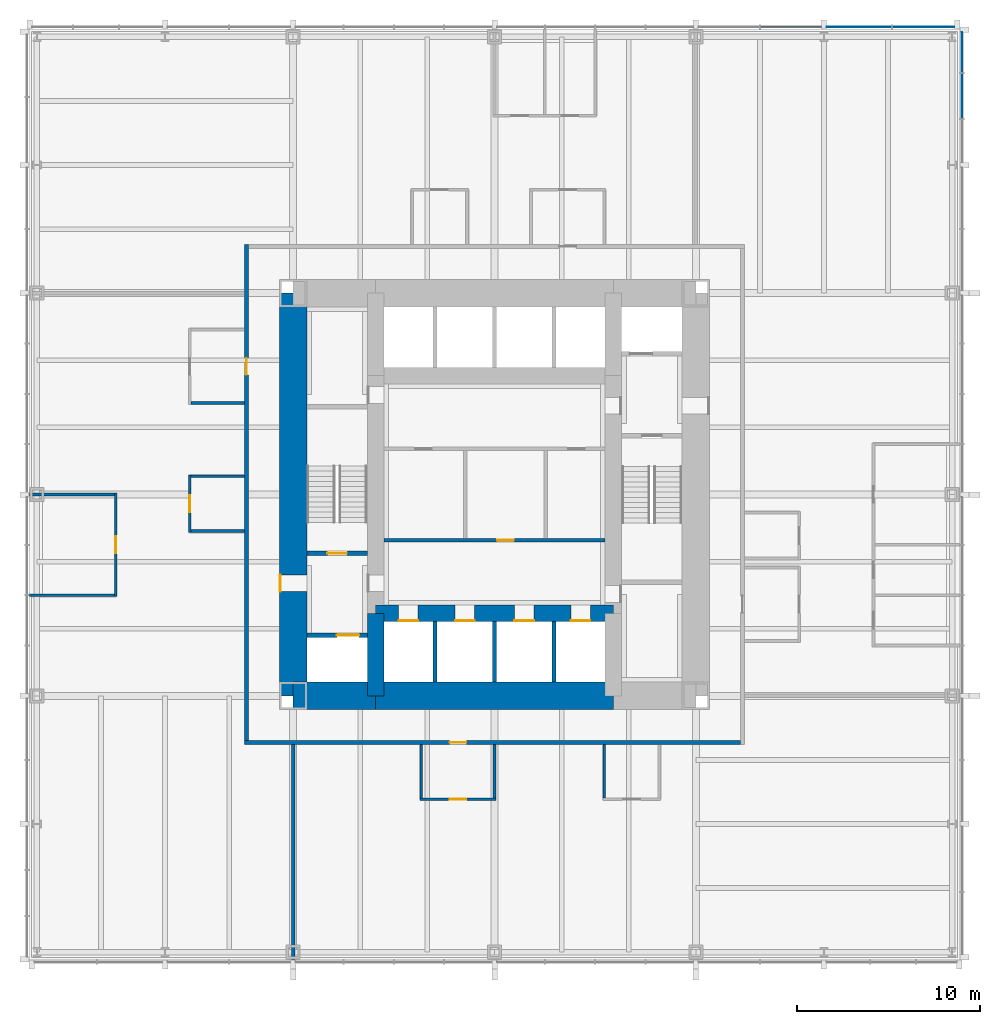
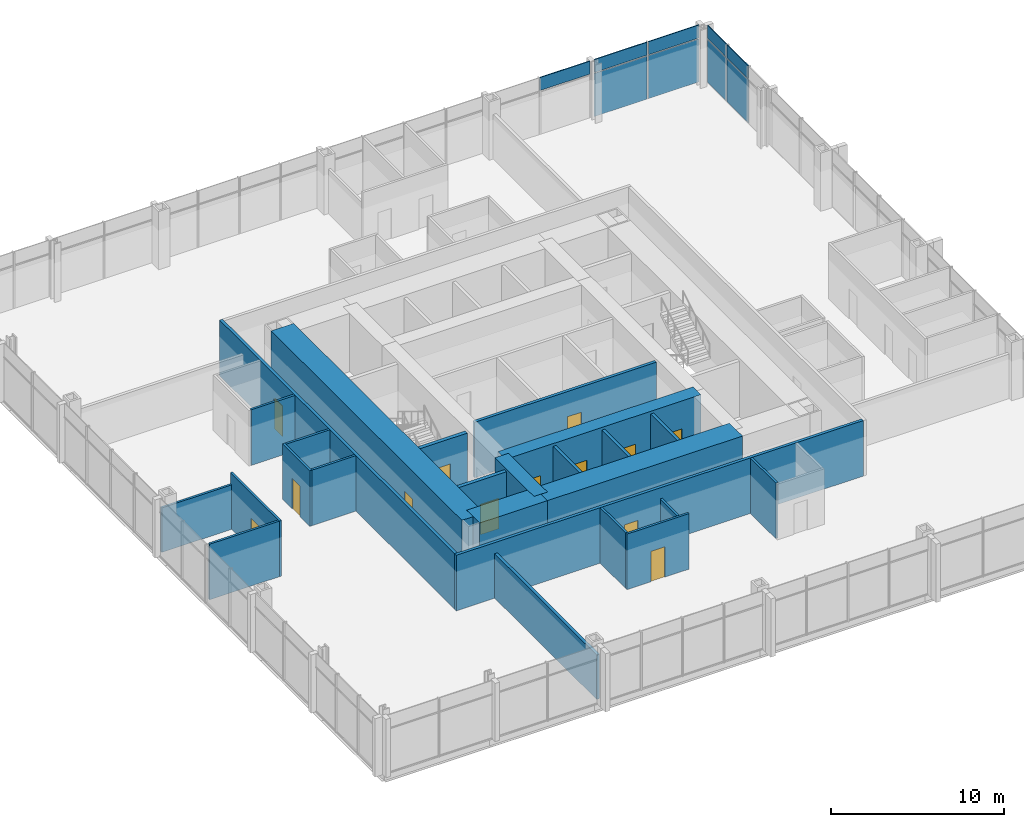
# One storey, part 9 of 12: 25 walls, 13 doors, 9 plates, 13 openings, 2 elements without a shape of their own.
"""IFC4 building model written with IfcOpenShell, lengths in metres."""

from ifc_helpers import new_model, si_unit, direction, frame, frame_2d, origin, origin_2d, place, context, subcontext, project, spatial, rectangle, extrude, material, layer, layer_set, type_object, element, fill, aggregate, save


model = new_model("IFC4")

# Units and contexts
model_context = context("Model", 3, precision=1e-05, world=origin(), true_north=direction((0.0, 1.0)))
body_context = subcontext(model_context, "Body", "Model", "MODEL_VIEW")
ifc_project = project(units=[si_unit("LENGTHUNIT", "METRE"), si_unit("AREAUNIT", "SQUARE_METRE"), si_unit("VOLUMEUNIT", "CUBIC_METRE"), si_unit("PLANEANGLEUNIT", "RADIAN"), si_unit("MASSUNIT", "GRAM", prefix="KILO")], contexts=[model_context])

# Site, building, storey
site_placement = place(None, origin())
site = spatial("IfcSite", under=ifc_project, at=site_placement, CompositionType="ELEMENT")
building_placement = place(site_placement, origin())
building = spatial("IfcBuilding", under=site, at=building_placement, Name="Trevanion Tower", CompositionType="ELEMENT")
storey_placement = place(building_placement, frame((0.0, 0.0, 28.300048828125)))
storey = spatial("IfcBuildingStorey", under=building, at=storey_placement, Name="L06", CompositionType="ELEMENT", Elevation=28.300048828125)

# Curtain wall, plates
ifc_material_1 = material(Name="Aluminium and glass", Category="aluminium")
curtain_wall_type = type_object("IfcCurtainWallType", Name="CW1 curtain wall", PredefinedType="USERDEFINED", material=ifc_material_1)
curtain_wall_1_placement = place(storey_placement, origin())
curtain_wall_1 = element("IfcCurtainWall", 1, at=curtain_wall_1_placement, inside=storey, type_object=curtain_wall_type, Name="CW1 L06 0", ObjectType="UNITISED CURTAIN WALL", PredefinedType="USERDEFINED")
ifc_material_2 = material(Name="Aluminium spandrel panel", Category="aluminium")
ifc_layer_1 = layer(ifc_material_2, 0.06005859375)
ifc_layer_set_1 = layer_set([ifc_layer_1], Name="CW1 spandrel panel")
plate_type_1 = type_object("IfcPlateType", Name="CW1 spandrel panel", PredefinedType="CURTAIN_PANEL", material=ifc_layer_set_1)
plate_1_placement = place(storey_placement, frame((25.550048828125, 21.77490234375, 2.99755859375), z_axis=(0.0, 0.0, 1.0), x_axis=(0.0, 1.0, 0.0)))
plate_1 = element("IfcPlate", 2, at=plate_1_placement, type_object=plate_type_1, Name="CW1 panel 16.2", PredefinedType="CURTAIN_PANEL", context=body_context, shape_type="SweptSolid", body=[
    extrude(rectangle(XDim=2.441650390625, YDim=0.06005859375, at=origin_2d()), origin(), (0.0, 0.0, 1.0), 0.91259765625),
])
plate_2_placement = place(storey_placement, frame((25.550048828125, 24.160400390625, 2.99755859375), z_axis=(0.0, 0.0, 1.0), x_axis=(0.0, 1.0, 0.0)))
plate_2 = element("IfcPlate", 3, at=plate_2_placement, type_object=plate_type_1, Name="CW1 panel 17.2", PredefinedType="CURTAIN_PANEL", context=body_context, shape_type="SweptSolid", body=[
    extrude(rectangle(XDim=2.17919921875, YDim=0.06005859375, at=origin_2d()), origin(), (0.0, 0.0, 1.0), 0.91259765625),
])

curtain_wall_2_placement = place(storey_placement, origin())
curtain_wall_2 = element("IfcCurtainWall", 4, at=curtain_wall_2_placement, inside=storey, type_object=curtain_wall_type, Name="CW1 L06 1", ObjectType="UNITISED CURTAIN WALL", PredefinedType="USERDEFINED")
plate_3_placement = place(storey_placement, frame((23.433837890625, 25.550048828125, 2.99755859375), z_axis=(0.0, 0.0, 1.0), x_axis=(-1.0, 0.0, 0.0)))
plate_3 = element("IfcPlate", 5, at=plate_3_placement, type_object=plate_type_1, Name="CW1 panel 1.2", PredefinedType="CURTAIN_PANEL", context=body_context, shape_type="SweptSolid", body=[
    extrude(rectangle(XDim=3.37255859375, YDim=0.06005859375, at=origin_2d()), origin(), (0.0, 0.0, 1.0), 0.91259765625),
])
plate_4_placement = place(storey_placement, frame((19.911376953125, 25.550048828125, 2.99755859375), z_axis=(0.0, 0.0, 1.0), x_axis=(-1.0, 0.0, 0.0)))
plate_4 = element("IfcPlate", 6, at=plate_4_placement, type_object=plate_type_1, Name="CW1 panel 2.2", PredefinedType="CURTAIN_PANEL", context=body_context, shape_type="SweptSolid", body=[
    extrude(rectangle(XDim=3.5224609375, YDim=0.06005859375, at=origin_2d()), origin(), (0.0, 0.0, 1.0), 0.91259765625),
])
plate_5_placement = place(storey_placement, frame((16.19384765625, 25.550048828125, 2.99755859375), z_axis=(0.0, 0.0, 1.0), x_axis=(-1.0, 0.0, 0.0)))
plate_5 = element("IfcPlate", 7, at=plate_5_placement, type_object=plate_type_1, Name="CW1 panel 3.2", PredefinedType="CURTAIN_PANEL", context=body_context, shape_type="SweptSolid", body=[
    extrude(rectangle(XDim=3.3125, YDim=0.06005859375, at=origin_2d()), origin(), (0.0, 0.0, 1.0), 0.91259765625),
])

# Plate
ifc_material_3 = material(Name="Insulating glass unit", Category="glass")
ifc_layer_2 = layer(ifc_material_3, 0.028076171875)
ifc_layer_set_2 = layer_set([ifc_layer_2], Name="CW1 vision panel")
plate_type_2 = type_object("IfcPlateType", Name="CW1 vision panel", PredefinedType="CURTAIN_PANEL", material=ifc_layer_set_2)
plate_6_placement = place(storey_placement, frame((25.550048828125, 21.77490234375, -0.115234375), z_axis=(0.0, 0.0, 1.0), x_axis=(0.0, 1.0, 0.0)))
plate_6 = element("IfcPlate", 8, at=plate_6_placement, type_object=plate_type_2, Name="CW1 panel 16.1", PredefinedType="CURTAIN_PANEL", context=body_context, shape_type="SweptSolid", body=[
    extrude(rectangle(XDim=2.441650390625, YDim=0.028076171875, at=origin_2d()), origin(), (0.0, 0.0, 1.0), 3.03759765625),
])

plate_7_placement = place(storey_placement, frame((25.550048828125, 24.160400390625, -0.115234375), z_axis=(0.0, 0.0, 1.0), x_axis=(0.0, 1.0, 0.0)))
plate_7 = element("IfcPlate", 9, at=plate_7_placement, type_object=plate_type_2, Name="CW1 panel 17.1", PredefinedType="CURTAIN_PANEL", context=body_context, shape_type="SweptSolid", body=[
    extrude(rectangle(XDim=2.17919921875, YDim=0.028076171875, at=origin_2d()), origin(), (0.0, 0.0, 1.0), 3.03759765625),
])

aggregate(curtain_wall_1, [plate_6, plate_1, plate_7, plate_2])

plate_8_placement = place(storey_placement, frame((23.433837890625, 25.550048828125, -0.115234375), z_axis=(0.0, 0.0, 1.0), x_axis=(-1.0, 0.0, 0.0)))
plate_8 = element("IfcPlate", 10, at=plate_8_placement, type_object=plate_type_2, Name="CW1 panel 1.1", PredefinedType="CURTAIN_PANEL", context=body_context, shape_type="SweptSolid", body=[
    extrude(rectangle(XDim=3.37255859375, YDim=0.028076171875, at=origin_2d()), origin(), (0.0, 0.0, 1.0), 3.03759765625),
])

plate_9_placement = place(storey_placement, frame((19.911376953125, 25.550048828125, -0.115234375), z_axis=(0.0, 0.0, 1.0), x_axis=(-1.0, 0.0, 0.0)))
plate_9 = element("IfcPlate", 11, at=plate_9_placement, type_object=plate_type_2, Name="CW1 panel 2.1", PredefinedType="CURTAIN_PANEL", context=body_context, shape_type="SweptSolid", body=[
    extrude(rectangle(XDim=3.5224609375, YDim=0.028076171875, at=origin_2d()), origin(), (0.0, 0.0, 1.0), 3.03759765625),
])

aggregate(curtain_wall_2, [plate_8, plate_3, plate_9, plate_4, plate_5])

# Wall, opening, door
ifc_material_4 = material(Name="Concrete 10,000 psi", Category="concrete")
ifc_layer_3 = layer(ifc_material_4, 1.5)
ifc_layer_set_3 = layer_set([ifc_layer_3], Name="CW1 core wall 1500")
wall_type_1 = type_object("IfcWallType", Name="CW1 core wall 1500", PredefinedType="SHEAR", material=ifc_layer_set_3)
wall_1_placement = place(storey_placement, frame((-11.0, 11.0, 0.0), z_axis=(0.0, 0.0, 1.0), x_axis=(0.0, -1.0, 0.0)))
wall_1 = element("IfcWall", 12, at=wall_1_placement, inside=storey, type_object=wall_type_1, Name="CW1 CW L06", PredefinedType="SHEAR", context=body_context, shape_type="SweptSolid", body=[
    extrude(rectangle(XDim=22.0, YDim=1.5, at=frame_2d((11.0, 0.0))), origin(), (0.0, 0.0, 1.0), 4.099853515625),
])
opening_1_placement = place(wall_1_placement, frame((15.392578125, 0.0, 0.0)))
opening_1 = element("IfcOpeningElement", 13, at=opening_1_placement, cuts=wall_1, Name="Opening 06-002", PredefinedType="OPENING", context=body_context, shape_type="SweptSolid", body=[
    extrude(rectangle(XDim=0.9150390625, YDim=2.134033203125, at=frame_2d((0.45751953125, 1.06689453125))), frame((0.0, 0.760009765625, 0.0), z_axis=(0.0, -1.0, 0.0), x_axis=(1.0, 0.0, 0.0)), (0.0, 0.0, 1.0), 1.52001953125),
])
ifc_material_5 = material(Name="Hollow metal, fire rated", Category="steel")
door_type_1 = type_object("IfcDoorType", Name="D3 fire lift lobby door", OperationType="SINGLE_SWING_RIGHT", PredefinedType="DOOR", material=ifc_material_5)
door_1_placement = place(opening_1_placement, origin())
door_1 = element("IfcDoor", 14, at=door_1_placement, inside=storey, type_object=door_type_1, Name="Door 06-002", OperationType="SINGLE_SWING_RIGHT", OverallHeight=2.134033203125, OverallWidth=0.9150390625, PredefinedType="DOOR", context=body_context, shape_type="SweptSolid", body=[
    extrude(rectangle(XDim=0.9150390625, YDim=2.134033203125, at=frame_2d((0.45751953125, 1.06689453125))), frame((0.0, -0.6748046875, 0.0), z_axis=(0.0, -1.0, 0.0), x_axis=(1.0, 0.0, 0.0)), (0.0, 0.0, 1.0), 0.050048828125),
])
fill(opening_1, door_1)

# Walls
wall_2_placement = place(storey_placement, frame((-11.0, -11.0, 0.0), z_axis=(0.0, 0.0, 1.0), x_axis=(1.0, 0.0, 0.0)))
element("IfcWall", 15, at=wall_2_placement, inside=storey, type_object=wall_type_1, Name="CW1 CS1 L06", PredefinedType="SHEAR", context=body_context, shape_type="SweptSolid", body=[
    extrude(rectangle(XDim=4.5, YDim=1.5, at=frame_2d((2.25, 0.0))), origin(), (0.0, 0.0, 1.0), 4.099853515625),
])
wall_3_placement = place(storey_placement, frame((-6.5, -11.0, 0.0), z_axis=(0.0, 0.0, 1.0), x_axis=(1.0, 0.0, 0.0)))
element("IfcWall", 16, at=wall_3_placement, inside=storey, type_object=wall_type_1, Name="CW1 CS2 L06", PredefinedType="SHEAR", context=body_context, shape_type="SweptSolid", body=[
    extrude(rectangle(XDim=13.0, YDim=1.5, at=frame_2d((6.5, 0.0))), origin(), (0.0, 0.0, 1.0), 4.099853515625),
])
ifc_material_6 = material(Name="Concrete 10,000 psi", Category="concrete")
ifc_layer_4 = layer(ifc_material_6, 0.89990234375)
ifc_layer_set_4 = layer_set([ifc_layer_4], Name="CW2 core wall 900")
wall_type_2 = type_object("IfcWallType", Name="CW2 core wall 900", PredefinedType="SHEAR", material=ifc_layer_set_4)
wall_4_placement = place(storey_placement, frame((-6.5, -6.5, 0.0), z_axis=(0.0, 0.0, 1.0), x_axis=(0.0, -1.0, 0.0)))
element("IfcWall", 17, at=wall_4_placement, inside=storey, type_object=wall_type_2, Name="CW2 RW3 L06", PredefinedType="SHEAR", context=body_context, shape_type="SweptSolid", body=[
    extrude(rectangle(XDim=4.5, YDim=0.89990234375, at=frame_2d((2.25, 0.0))), origin(), (0.0, 0.0, 1.0), 4.099853515625),
])

# Wall, openings, doors
wall_5_placement = place(storey_placement, frame((-6.5, -6.5, 0.0), z_axis=(0.0, 0.0, 1.0), x_axis=(1.0, 0.0, 0.0)))
wall_5 = element("IfcWall", 18, at=wall_5_placement, inside=storey, type_object=wall_type_2, Name="CW2 RS L06", PredefinedType="SHEAR", context=body_context, shape_type="SweptSolid", body=[
    extrude(rectangle(XDim=13.0, YDim=0.89990234375, at=frame_2d((6.5, 0.0))), origin(), (0.0, 0.0, 1.0), 4.099853515625),
])
opening_2_placement = place(wall_5_placement, frame((1.2666015625, 0.0, 0.0)))
opening_2 = element("IfcOpeningElement", 19, at=opening_2_placement, cuts=wall_5, Name="Opening 06-011", PredefinedType="OPENING", context=body_context, shape_type="SweptSolid", body=[
    extrude(rectangle(XDim=1.06689453125, YDim=2.134033203125, at=frame_2d((0.533447265625, 1.06689453125))), frame((0.0, 0.4599609375, 0.0), z_axis=(0.0, -1.0, 0.0), x_axis=(1.0, 0.0, 0.0)), (0.0, 0.0, 1.0), 0.919921875),
])
opening_3_placement = place(wall_5_placement, frame((4.341552734375, 0.0, 0.0)))
opening_3 = element("IfcOpeningElement", 20, at=opening_3_placement, cuts=wall_5, Name="Opening 06-012", PredefinedType="OPENING", context=body_context, shape_type="SweptSolid", body=[
    extrude(rectangle(XDim=1.06689453125, YDim=2.134033203125, at=frame_2d((0.533447265625, 1.06689453125))), frame((0.0, 0.4599609375, 0.0), z_axis=(0.0, -1.0, 0.0), x_axis=(1.0, 0.0, 0.0)), (0.0, 0.0, 1.0), 0.919921875),
])
opening_4_placement = place(wall_5_placement, frame((7.591552734375, 0.0, 0.0)))
opening_4 = element("IfcOpeningElement", 21, at=opening_4_placement, cuts=wall_5, Name="Opening 06-013", PredefinedType="OPENING", context=body_context, shape_type="SweptSolid", body=[
    extrude(rectangle(XDim=1.06689453125, YDim=2.134033203125, at=frame_2d((0.533447265625, 1.06689453125))), frame((0.0, 0.4599609375, 0.0), z_axis=(0.0, -1.0, 0.0), x_axis=(1.0, 0.0, 0.0)), (0.0, 0.0, 1.0), 0.919921875),
])
opening_5_placement = place(wall_5_placement, frame((10.66650390625, 0.0, 0.0)))
opening_5 = element("IfcOpeningElement", 22, at=opening_5_placement, cuts=wall_5, Name="Opening 06-014", PredefinedType="OPENING", context=body_context, shape_type="SweptSolid", body=[
    extrude(rectangle(XDim=1.06689453125, YDim=2.134033203125, at=frame_2d((0.533447265625, 1.06689453125))), frame((0.0, 0.4599609375, 0.0), z_axis=(0.0, -1.0, 0.0), x_axis=(1.0, 0.0, 0.0)), (0.0, 0.0, 1.0), 0.919921875),
])
ifc_material_7 = material(Name="Stainless steel, fire rated", Category="steel")
door_type_2 = type_object("IfcDoorType", Name="LD1 lift landing door", OperationType="SLIDING_TO_LEFT", PredefinedType="DOOR", material=ifc_material_7)
door_2_placement = place(opening_2_placement, origin())
door_2 = element("IfcDoor", 23, at=door_2_placement, inside=storey, type_object=door_type_2, Name="Door 06-011", OperationType="SLIDING_TO_LEFT", OverallHeight=2.134033203125, OverallWidth=1.06689453125, PredefinedType="DOOR", context=body_context, shape_type="SweptSolid", body=[
    extrude(rectangle(XDim=1.06689453125, YDim=2.134033203125, at=frame_2d((0.533447265625, 1.06689453125))), frame((0.0, -0.375, 0.0), z_axis=(0.0, -1.0, 0.0), x_axis=(1.0, 0.0, 0.0)), (0.0, 0.0, 1.0), 0.050048828125),
])
fill(opening_2, door_2)
door_3_placement = place(opening_3_placement, origin())
door_3 = element("IfcDoor", 24, at=door_3_placement, inside=storey, type_object=door_type_2, Name="Door 06-012", OperationType="SLIDING_TO_LEFT", OverallHeight=2.134033203125, OverallWidth=1.06689453125, PredefinedType="DOOR", context=body_context, shape_type="SweptSolid", body=[
    extrude(rectangle(XDim=1.06689453125, YDim=2.134033203125, at=frame_2d((0.533447265625, 1.06689453125))), frame((0.0, -0.375, 0.0), z_axis=(0.0, -1.0, 0.0), x_axis=(1.0, 0.0, 0.0)), (0.0, 0.0, 1.0), 0.050048828125),
])
fill(opening_3, door_3)
door_4_placement = place(opening_4_placement, origin())
door_4 = element("IfcDoor", 25, at=door_4_placement, inside=storey, type_object=door_type_2, Name="Door 06-013", OperationType="SLIDING_TO_LEFT", OverallHeight=2.134033203125, OverallWidth=1.06689453125, PredefinedType="DOOR", context=body_context, shape_type="SweptSolid", body=[
    extrude(rectangle(XDim=1.06689453125, YDim=2.134033203125, at=frame_2d((0.533447265625, 1.06689453125))), frame((0.0, -0.375, 0.0), z_axis=(0.0, -1.0, 0.0), x_axis=(1.0, 0.0, 0.0)), (0.0, 0.0, 1.0), 0.050048828125),
])
fill(opening_4, door_4)
door_5_placement = place(opening_5_placement, origin())
door_5 = element("IfcDoor", 26, at=door_5_placement, inside=storey, type_object=door_type_2, Name="Door 06-014", OperationType="SLIDING_TO_LEFT", OverallHeight=2.134033203125, OverallWidth=1.06689453125, PredefinedType="DOOR", context=body_context, shape_type="SweptSolid", body=[
    extrude(rectangle(XDim=1.06689453125, YDim=2.134033203125, at=frame_2d((0.533447265625, 1.06689453125))), frame((0.0, -0.375, 0.0), z_axis=(0.0, -1.0, 0.0), x_axis=(1.0, 0.0, 0.0)), (0.0, 0.0, 1.0), 0.050048828125),
])
fill(opening_5, door_5)

# Wall, opening, door
ifc_material_8 = material(Name="Gypsum board on steel studs", Category="steel")
ifc_layer_5 = layer(ifc_material_8, 0.14990234375)
ifc_layer_set_5 = layer_set([ifc_layer_5], Name="PT1 partition 150")
wall_type_3 = type_object("IfcWallType", Name="PT1 partition 150", PredefinedType="PARTITIONING", material=ifc_layer_set_5)
wall_6_placement = place(storey_placement, frame((-20.699951171875, 0.074951171875, 0.0), z_axis=(0.0, 0.0, 1.0), x_axis=(0.0, -1.0, 0.0)))
wall_6 = element("IfcWall", 27, at=wall_6_placement, inside=storey, type_object=wall_type_3, Name="PT1 L06 FC2F", PredefinedType="PARTITIONING", context=body_context, shape_type="SweptSolid", body=[
    extrude(rectangle(XDim=5.64990234375, YDim=0.14990234375, at=frame_2d((2.824951171875, 0.0))), origin(), (0.0, 0.0, 1.0), 3.909912109375),
])
opening_6_placement = place(wall_6_placement, frame((2.367431640625, 0.0, 0.0)))
opening_6 = element("IfcOpeningElement", 28, at=opening_6_placement, cuts=wall_6, Name="Opening 06-023", PredefinedType="OPENING", context=body_context, shape_type="SweptSolid", body=[
    extrude(rectangle(XDim=0.9150390625, YDim=2.134033203125, at=frame_2d((0.45751953125, 1.06689453125))), frame((0.0, 0.0849609375, 0.0), z_axis=(0.0, -1.0, 0.0), x_axis=(1.0, 0.0, 0.0)), (0.0, 0.0, 1.0), 0.169921875),
])
ifc_material_9 = material(Name="Timber veneer, solid core", Category="wood")
door_type_3 = type_object("IfcDoorType", Name="D1 office and meeting room door", OperationType="SINGLE_SWING_LEFT", PredefinedType="DOOR", material=ifc_material_9)
door_6_placement = place(opening_6_placement, origin())
door_6 = element("IfcDoor", 29, at=door_6_placement, inside=storey, type_object=door_type_3, Name="Door 06-023", OperationType="SINGLE_SWING_LEFT", OverallHeight=2.134033203125, OverallWidth=0.9150390625, PredefinedType="DOOR", context=body_context, shape_type="SweptSolid", body=[
    extrude(rectangle(XDim=0.9150390625, YDim=2.134033203125, at=frame_2d((0.45751953125, 1.06689453125))), frame((0.0, 0.02490234375, 0.0), z_axis=(0.0, -1.0, 0.0), x_axis=(1.0, 0.0, 0.0)), (0.0, 0.0, 1.0), 0.050048828125),
])
fill(opening_6, door_6)

# Walls
wall_7_placement = place(storey_placement, frame((-20.77490234375, 0.0, 0.0), z_axis=(0.0, 0.0, 1.0), x_axis=(-1.0, 0.0, 0.0)))
element("IfcWall", 30, at=wall_7_placement, inside=storey, type_object=wall_type_3, Name="PT1 L06 FC2S0", PredefinedType="PARTITIONING", context=body_context, shape_type="SweptSolid", body=[
    extrude(rectangle(XDim=4.64013671875, YDim=0.14990234375, at=frame_2d((2.320068359375, 0.0))), origin(), (0.0, 0.0, 1.0), 3.130126953125),
])
wall_8_placement = place(storey_placement, frame((-20.77490234375, -5.5, 0.0), z_axis=(0.0, 0.0, 1.0), x_axis=(-1.0, 0.0, 0.0)))
element("IfcWall", 31, at=wall_8_placement, inside=storey, type_object=wall_type_3, Name="PT1 L06 FC2S2", PredefinedType="PARTITIONING", context=body_context, shape_type="SweptSolid", body=[
    extrude(rectangle(XDim=4.64013671875, YDim=0.14990234375, at=frame_2d((2.320068359375, 0.0))), origin(), (0.0, 0.0, 1.0), 3.909912109375),
])
wall_9_placement = place(storey_placement, frame((-16.574951171875, 5.0, 0.0), z_axis=(0.0, 0.0, 1.0), x_axis=(1.0, 0.0, 0.0)))
element("IfcWall", 32, at=wall_9_placement, inside=storey, type_object=wall_type_3, Name="PT1 L06 IN20S1", PredefinedType="PARTITIONING", context=body_context, shape_type="SweptSolid", body=[
    extrude(rectangle(XDim=2.925048828125, YDim=0.14990234375, at=frame_2d((1.46240234375, 0.0))), origin(), (0.0, 0.0, 1.0), 3.909912109375),
])

# Wall, opening, door
wall_10_placement = place(storey_placement, frame((-16.64990234375, 1.074951171875, 0.0), z_axis=(0.0, 0.0, 1.0), x_axis=(0.0, -1.0, 0.0)))
wall_10 = element("IfcWall", 33, at=wall_10_placement, inside=storey, type_object=wall_type_3, Name="PT1 L06 IN21F", PredefinedType="PARTITIONING", context=body_context, shape_type="SweptSolid", body=[
    extrude(rectangle(XDim=3.14990234375, YDim=0.14990234375, at=frame_2d((1.574951171875, 0.0))), origin(), (0.0, 0.0, 1.0), 3.909912109375),
])
opening_7_placement = place(wall_10_placement, frame((1.117431640625, 0.0, 0.0)))
opening_7 = element("IfcOpeningElement", 34, at=opening_7_placement, cuts=wall_10, Name="Opening 06-032", PredefinedType="OPENING", context=body_context, shape_type="SweptSolid", body=[
    extrude(rectangle(XDim=0.9150390625, YDim=2.134033203125, at=frame_2d((0.45751953125, 1.06689453125))), frame((0.0, 0.0849609375, 0.0), z_axis=(0.0, -1.0, 0.0), x_axis=(1.0, 0.0, 0.0)), (0.0, 0.0, 1.0), 0.169921875),
])
door_7_placement = place(opening_7_placement, origin())
door_7 = element("IfcDoor", 35, at=door_7_placement, inside=storey, type_object=door_type_3, Name="Door 06-032", OperationType="SINGLE_SWING_LEFT", OverallHeight=2.134033203125, OverallWidth=0.9150390625, PredefinedType="DOOR", context=body_context, shape_type="SweptSolid", body=[
    extrude(rectangle(XDim=0.9150390625, YDim=2.134033203125, at=frame_2d((0.45751953125, 1.06689453125))), frame((0.0, 0.02490234375, 0.0), z_axis=(0.0, -1.0, 0.0), x_axis=(1.0, 0.0, 0.0)), (0.0, 0.0, 1.0), 0.050048828125),
])
fill(opening_7, door_7)

# Walls
for number, where, z_axis, x_axis, name in (
    (36, (-16.574951171875, 1.0, 0.0), (0.0, 0.0, 1.0), (1.0, 0.0, 0.0), "PT1 L06 IN21S0"),
    (37, (-16.574951171875, -2.0, 0.0), (0.0, 0.0, 1.0), (1.0, 0.0, 0.0), "PT1 L06 IN21S1"),
):
    element("IfcWall", number, at=place(storey_placement, frame(where, z_axis=z_axis, x_axis=x_axis)), inside=storey, type_object=wall_type_3, Name=name, PredefinedType="PARTITIONING", context=body_context, shape_type="SweptSolid", body=[
        extrude(rectangle(XDim=2.925048828125, YDim=0.14990234375, at=frame_2d((1.46240234375, 0.0))), origin(), (0.0, 0.0, 1.0), 3.909912109375),
    ])

# Wall, opening, door
wall_11_placement = place(storey_placement, frame((-4.074951171875, -16.64990234375, 0.0), z_axis=(0.0, 0.0, 1.0), x_axis=(1.0, 0.0, 0.0)))
wall_11 = element("IfcWall", 38, at=wall_11_placement, inside=storey, type_object=wall_type_3, Name="PT1 L06 IN30F", PredefinedType="PARTITIONING", context=body_context, shape_type="SweptSolid", body=[
    extrude(rectangle(XDim=4.14990234375, YDim=0.14990234375, at=frame_2d((2.074951171875, 0.0))), origin(), (0.0, 0.0, 1.0), 3.909912109375),
])
opening_8_placement = place(wall_11_placement, frame((1.617431640625, 0.0, 0.0)))
opening_8 = element("IfcOpeningElement", 39, at=opening_8_placement, cuts=wall_11, Name="Opening 06-033", PredefinedType="OPENING", context=body_context, shape_type="SweptSolid", body=[
    extrude(rectangle(XDim=0.9150390625, YDim=2.134033203125, at=frame_2d((0.45751953125, 1.06689453125))), frame((0.0, 0.0849609375, 0.0), z_axis=(0.0, -1.0, 0.0), x_axis=(1.0, 0.0, 0.0)), (0.0, 0.0, 1.0), 0.169921875),
])
door_8_placement = place(opening_8_placement, origin())
door_8 = element("IfcDoor", 40, at=door_8_placement, inside=storey, type_object=door_type_3, Name="Door 06-033", OperationType="SINGLE_SWING_LEFT", OverallHeight=2.134033203125, OverallWidth=0.9150390625, PredefinedType="DOOR", context=body_context, shape_type="SweptSolid", body=[
    extrude(rectangle(XDim=0.9150390625, YDim=2.134033203125, at=frame_2d((0.45751953125, 1.06689453125))), frame((0.0, 0.02490234375, 0.0), z_axis=(0.0, -1.0, 0.0), x_axis=(1.0, 0.0, 0.0)), (0.0, 0.0, 1.0), 0.050048828125),
])
fill(opening_8, door_8)

# Walls
wall_12_placement = place(storey_placement, frame((-4.0, -16.574951171875, 0.0), z_axis=(0.0, 0.0, 1.0), x_axis=(0.0, 1.0, 0.0)))
element("IfcWall", 41, at=wall_12_placement, inside=storey, type_object=wall_type_3, Name="PT1 L06 IN30S0", PredefinedType="PARTITIONING", context=body_context, shape_type="SweptSolid", body=[
    extrude(rectangle(XDim=2.925048828125, YDim=0.14990234375, at=frame_2d((1.46240234375, 0.0))), origin(), (0.0, 0.0, 1.0), 3.909912109375),
])
wall_13_placement = place(storey_placement, frame((0.0, -16.574951171875, 0.0), z_axis=(0.0, 0.0, 1.0), x_axis=(0.0, 1.0, 0.0)))
element("IfcWall", 42, at=wall_13_placement, inside=storey, type_object=wall_type_3, Name="PT1 L06 IN30S1", PredefinedType="PARTITIONING", context=body_context, shape_type="SweptSolid", body=[
    extrude(rectangle(XDim=2.925048828125, YDim=0.14990234375, at=frame_2d((1.46240234375, 0.0))), origin(), (0.0, 0.0, 1.0), 3.130126953125),
])
wall_14_placement = place(storey_placement, frame((6.0, -16.574951171875, 0.0), z_axis=(0.0, 0.0, 1.0), x_axis=(0.0, 1.0, 0.0)))
element("IfcWall", 43, at=wall_14_placement, inside=storey, type_object=wall_type_3, Name="PT1 L06 IN31S0", PredefinedType="PARTITIONING", context=body_context, shape_type="SweptSolid", body=[
    extrude(rectangle(XDim=2.925048828125, YDim=0.14990234375, at=frame_2d((1.46240234375, 0.0))), origin(), (0.0, 0.0, 1.0), 3.909912109375),
])

# Wall, opening, door
ifc_material_10 = material(Name="Concrete masonry, grouted", Category="masonry")
ifc_layer_6 = layer(ifc_material_10, 0.199951171875)
ifc_layer_set_6 = layer_set([ifc_layer_6], Name="PT2 partition 200 1 HR")
wall_type_4 = type_object("IfcWallType", Name="PT2 partition 200 1 HR", PredefinedType="PARTITIONING", material=ifc_layer_set_6)
wall_15_placement = place(storey_placement, frame((6.050048828125, -2.5, 0.0), z_axis=(0.0, 0.0, 1.0), x_axis=(-1.0, 0.0, 0.0)))
wall_15 = element("IfcWall", 44, at=wall_15_placement, inside=storey, type_object=wall_type_4, Name="PT2 L06 CP2", PredefinedType="PARTITIONING", context=body_context, shape_type="SweptSolid", body=[
    extrude(rectangle(XDim=12.10009765625, YDim=0.199951171875, at=frame_2d((6.050048828125, 0.0))), origin(), (0.0, 0.0, 1.0), 3.909912109375),
])
opening_9_placement = place(wall_15_placement, frame((4.992431640625, 0.0, 0.0)))
opening_9 = element("IfcOpeningElement", 45, at=opening_9_placement, cuts=wall_15, Name="Opening 06-016", PredefinedType="OPENING", context=body_context, shape_type="SweptSolid", body=[
    extrude(rectangle(XDim=0.9150390625, YDim=2.134033203125, at=frame_2d((0.45751953125, 1.06689453125))), frame((0.0, 0.10986328125, 0.0), z_axis=(0.0, -1.0, 0.0), x_axis=(1.0, 0.0, 0.0)), (0.0, 0.0, 1.0), 0.219970703125),
])
ifc_material_11 = material(Name="Plastic laminate on fire-rated core", Category="wood")
door_type_4 = type_object("IfcDoorType", Name="D12 toilet door in a one hour wall", OperationType="SINGLE_SWING_LEFT", PredefinedType="DOOR", material=ifc_material_11)
door_9_placement = place(opening_9_placement, origin())
door_9 = element("IfcDoor", 46, at=door_9_placement, inside=storey, type_object=door_type_4, Name="Door 06-016", OperationType="SINGLE_SWING_LEFT", OverallHeight=2.134033203125, OverallWidth=0.9150390625, PredefinedType="DOOR", context=body_context, shape_type="SweptSolid", body=[
    extrude(rectangle(XDim=0.9150390625, YDim=2.134033203125, at=frame_2d((0.45751953125, 1.06689453125))), frame((0.0, 0.02490234375, 0.0), z_axis=(0.0, -1.0, 0.0), x_axis=(1.0, 0.0, 0.0)), (0.0, 0.0, 1.0), 0.050048828125),
])
fill(opening_9, door_9)

wall_16_placement = place(storey_placement, frame((-13.550048828125, 13.64990234375, 0.0), z_axis=(0.0, 0.0, 1.0), x_axis=(0.0, -1.0, 0.0)))
wall_16 = element("IfcWall", 47, at=wall_16_placement, inside=storey, type_object=wall_type_4, Name="PT2 L06 OC2", PredefinedType="PARTITIONING", context=body_context, shape_type="SweptSolid", body=[
    extrude(rectangle(XDim=27.099853515625, YDim=0.199951171875, at=frame_2d((13.5498046875, 0.0))), origin(), (0.0, 0.0, 1.0), 3.909912109375),
])
opening_10_placement = place(wall_16_placement, frame((6.1923828125, 0.0, 0.0)))
opening_10 = element("IfcOpeningElement", 48, at=opening_10_placement, cuts=wall_16, Name="Opening 06-031", PredefinedType="OPENING", context=body_context, shape_type="SweptSolid", body=[
    extrude(rectangle(XDim=0.9150390625, YDim=2.134033203125, at=frame_2d((0.45751953125, 1.06689453125))), frame((0.0, 0.10986328125, 0.0), z_axis=(0.0, -1.0, 0.0), x_axis=(1.0, 0.0, 0.0)), (0.0, 0.0, 1.0), 0.219970703125),
])
ifc_material_12 = material(Name="Timber veneer, fire rated", Category="wood")
door_type_5 = type_object("IfcDoorType", Name="D10 office door in a one hour wall", OperationType="SINGLE_SWING_LEFT", PredefinedType="DOOR", material=ifc_material_12)
door_10_placement = place(opening_10_placement, origin())
door_10 = element("IfcDoor", 49, at=door_10_placement, inside=storey, type_object=door_type_5, Name="Door 06-031", OperationType="SINGLE_SWING_LEFT", OverallHeight=2.134033203125, OverallWidth=0.9150390625, PredefinedType="DOOR", context=body_context, shape_type="SweptSolid", body=[
    extrude(rectangle(XDim=0.9150390625, YDim=2.134033203125, at=frame_2d((0.45751953125, 1.06689453125))), frame((0.0, 0.02490234375, 0.0), z_axis=(0.0, -1.0, 0.0), x_axis=(1.0, 0.0, 0.0)), (0.0, 0.0, 1.0), 0.050048828125),
])
fill(opening_10, door_10)

wall_17_placement = place(storey_placement, frame((-13.64990234375, -13.550048828125, 0.0), z_axis=(0.0, 0.0, 1.0), x_axis=(1.0, 0.0, 0.0)))
wall_17 = element("IfcWall", 50, at=wall_17_placement, inside=storey, type_object=wall_type_4, Name="PT2 L06 OC3", PredefinedType="PARTITIONING", context=body_context, shape_type="SweptSolid", body=[
    extrude(rectangle(XDim=27.099853515625, YDim=0.199951171875, at=frame_2d((13.5498046875, 0.0))), origin(), (0.0, 0.0, 1.0), 3.909912109375),
])
opening_11_placement = place(wall_17_placement, frame((11.1923828125, 0.0, 0.0)))
opening_11 = element("IfcOpeningElement", 51, at=opening_11_placement, cuts=wall_17, Name="Opening 06-034", PredefinedType="OPENING", context=body_context, shape_type="SweptSolid", body=[
    extrude(rectangle(XDim=0.9150390625, YDim=2.134033203125, at=frame_2d((0.45751953125, 1.06689453125))), frame((0.0, 0.10986328125, 0.0), z_axis=(0.0, -1.0, 0.0), x_axis=(1.0, 0.0, 0.0)), (0.0, 0.0, 1.0), 0.219970703125),
])
door_11_placement = place(opening_11_placement, origin())
door_11 = element("IfcDoor", 52, at=door_11_placement, inside=storey, type_object=door_type_5, Name="Door 06-034", OperationType="SINGLE_SWING_LEFT", OverallHeight=2.134033203125, OverallWidth=0.9150390625, PredefinedType="DOOR", context=body_context, shape_type="SweptSolid", body=[
    extrude(rectangle(XDim=0.9150390625, YDim=2.134033203125, at=frame_2d((0.45751953125, 1.06689453125))), frame((0.0, 0.02490234375, 0.0), z_axis=(0.0, -1.0, 0.0), x_axis=(1.0, 0.0, 0.0)), (0.0, 0.0, 1.0), 0.050048828125),
])
fill(opening_11, door_11)

# Walls
wall_18_placement = place(storey_placement, frame((-11.0, -13.64990234375, 0.0), z_axis=(0.0, 0.0, 1.0), x_axis=(0.0, -1.0, 0.0)))
element("IfcWall", 53, at=wall_18_placement, inside=storey, type_object=wall_type_4, Name="PT2 L06 DM2", PredefinedType="PARTITIONING", context=body_context, shape_type="SweptSolid", body=[
    extrude(rectangle(XDim=11.76513671875, YDim=0.199951171875, at=frame_2d((5.882568359375, 0.0))), origin(), (0.0, 0.0, 1.0), 3.130126953125),
])
ifc_material_13 = material(Name="Concrete masonry, grouted", Category="masonry")
ifc_layer_7 = layer(ifc_material_13, 0.199951171875)
ifc_layer_set_7 = layer_set([ifc_layer_7], Name="PT2 partition 200 2 HR")
wall_type_5 = type_object("IfcWallType", Name="PT2 partition 200 2 HR", PredefinedType="PARTITIONING", material=ifc_layer_set_7)
for number, where, z_axis, x_axis, name in (
    (54, (-3.25, -10.25, 0.0), (0.0, 0.0, 1.0), (0.0, 1.0, 0.0), "PT2 L06 SS0"),
    (55, (0.0, -10.25, 0.0), (0.0, 0.0, 1.0), (0.0, 1.0, 0.0), "PT2 L06 SS1"),
    (56, (3.25, -10.25, 0.0), (0.0, 0.0, 1.0), (0.0, 1.0, 0.0), "PT2 L06 SS2"),
):
    element("IfcWall", number, at=place(storey_placement, frame(where, z_axis=z_axis, x_axis=x_axis)), inside=storey, type_object=wall_type_5, Name=name, PredefinedType="PARTITIONING", context=body_context, shape_type="SweptSolid", body=[
        extrude(rectangle(XDim=3.300048828125, YDim=0.199951171875, at=frame_2d((1.64990234375, 0.0))), origin(), (0.0, 0.0, 1.0), 3.909912109375),
    ])

# Wall, opening, door
ifc_material_14 = material(Name="Concrete masonry, grouted, two-hour", Category="masonry")
ifc_layer_8 = layer(ifc_material_14, 0.25)
ifc_layer_set_8 = layer_set([ifc_layer_8], Name="PT3 partition 250 2 HR")
wall_type_6 = type_object("IfcWallType", Name="PT3 partition 250 2 HR", PredefinedType="PARTITIONING", material=ifc_layer_set_8)
wall_19_placement = place(storey_placement, frame((-6.949951171875, -7.699951171875, 0.0), z_axis=(0.0, 0.0, 1.0), x_axis=(-1.0, 0.0, 0.0)))
wall_19 = element("IfcWall", 57, at=wall_19_placement, inside=storey, type_object=wall_type_6, Name="PT3 L06 WP3", PredefinedType="PARTITIONING", context=body_context, shape_type="SweptSolid", body=[
    extrude(rectangle(XDim=3.300048828125, YDim=0.25, at=frame_2d((1.64990234375, 0.0))), origin(), (0.0, 0.0, 1.0), 3.909912109375),
])
opening_12_placement = place(wall_19_placement, frame((0.449951171875, 0.0, 0.0)))
opening_12 = element("IfcOpeningElement", 58, at=opening_12_placement, cuts=wall_19, Name="Opening 06-008", PredefinedType="OPENING", context=body_context, shape_type="SweptSolid", body=[
    extrude(rectangle(XDim=1.218994140625, YDim=2.134033203125, at=frame_2d((0.609375, 1.06689453125))), frame((0.0, 0.135009765625, 0.0), z_axis=(0.0, -1.0, 0.0), x_axis=(1.0, 0.0, 0.0)), (0.0, 0.0, 1.0), 0.27001953125),
])
ifc_material_15 = material(Name="Stainless steel, fire rated", Category="steel")
door_type_6 = type_object("IfcDoorType", Name="LD2 fire service lift landing door", OperationType="SLIDING_TO_LEFT", PredefinedType="DOOR", material=ifc_material_15)
door_12_placement = place(opening_12_placement, origin())
door_12 = element("IfcDoor", 59, at=door_12_placement, inside=storey, type_object=door_type_6, Name="Door 06-008", OperationType="SLIDING_TO_LEFT", OverallHeight=2.134033203125, OverallWidth=1.218994140625, PredefinedType="DOOR", context=body_context, shape_type="SweptSolid", body=[
    extrude(rectangle(XDim=1.218994140625, YDim=2.134033203125, at=frame_2d((0.609375, 1.06689453125))), frame((0.0, 0.02490234375, 0.0), z_axis=(0.0, -1.0, 0.0), x_axis=(1.0, 0.0, 0.0)), (0.0, 0.0, 1.0), 0.050048828125),
])
fill(opening_12, door_12)

ifc_material_16 = material(Name="Reinforced masonry, fully grouted", Category="masonry")
ifc_layer_9 = layer(ifc_material_16, 0.25)
ifc_layer_set_9 = layer_set([ifc_layer_9], Name="SW1 stair shaft wall 250")
wall_type_7 = type_object("IfcWallType", Name="SW1 stair shaft wall 250", PredefinedType="SOLIDWALL", material=ifc_layer_set_9)
wall_20_placement = place(storey_placement, frame((-6.949951171875, -3.199951171875, 0.0), z_axis=(0.0, 0.0, 1.0), x_axis=(-1.0, 0.0, 0.0)))
wall_20 = element("IfcWall", 60, at=wall_20_placement, inside=storey, type_object=wall_type_7, Name="SW1 L06 WP2", PredefinedType="SOLIDWALL", context=body_context, shape_type="SweptSolid", body=[
    extrude(rectangle(XDim=3.300048828125, YDim=0.25, at=frame_2d((1.64990234375, 0.0))), origin(), (0.0, 0.0, 1.0), 3.909912109375),
])
opening_13_placement = place(wall_20_placement, frame((1.116455078125, 0.0, 0.0)))
opening_13 = element("IfcOpeningElement", 61, at=opening_13_placement, cuts=wall_20, Name="Opening 06-006", PredefinedType="OPENING", context=body_context, shape_type="SweptSolid", body=[
    extrude(rectangle(XDim=1.06689453125, YDim=2.134033203125, at=frame_2d((0.533447265625, 1.06689453125))), frame((0.0, 0.135009765625, 0.0), z_axis=(0.0, -1.0, 0.0), x_axis=(1.0, 0.0, 0.0)), (0.0, 0.0, 1.0), 0.27001953125),
])
ifc_material_17 = material(Name="Hollow metal, fire rated", Category="steel")
door_type_7 = type_object("IfcDoorType", Name="D2 exit stair door", OperationType="SINGLE_SWING_LEFT", PredefinedType="DOOR", material=ifc_material_17)
door_13_placement = place(opening_13_placement, origin())
door_13 = element("IfcDoor", 62, at=door_13_placement, inside=storey, type_object=door_type_7, Name="Door 06-006", OperationType="SINGLE_SWING_LEFT", OverallHeight=2.134033203125, OverallWidth=1.06689453125, PredefinedType="DOOR", context=body_context, shape_type="SweptSolid", body=[
    extrude(rectangle(XDim=1.06689453125, YDim=2.134033203125, at=frame_2d((0.533447265625, 1.06689453125))), frame((0.0, 0.02490234375, 0.0), z_axis=(0.0, -1.0, 0.0), x_axis=(1.0, 0.0, 0.0)), (0.0, 0.0, 1.0), 0.050048828125),
])
fill(opening_13, door_13)

save(model, "model.ifc")
